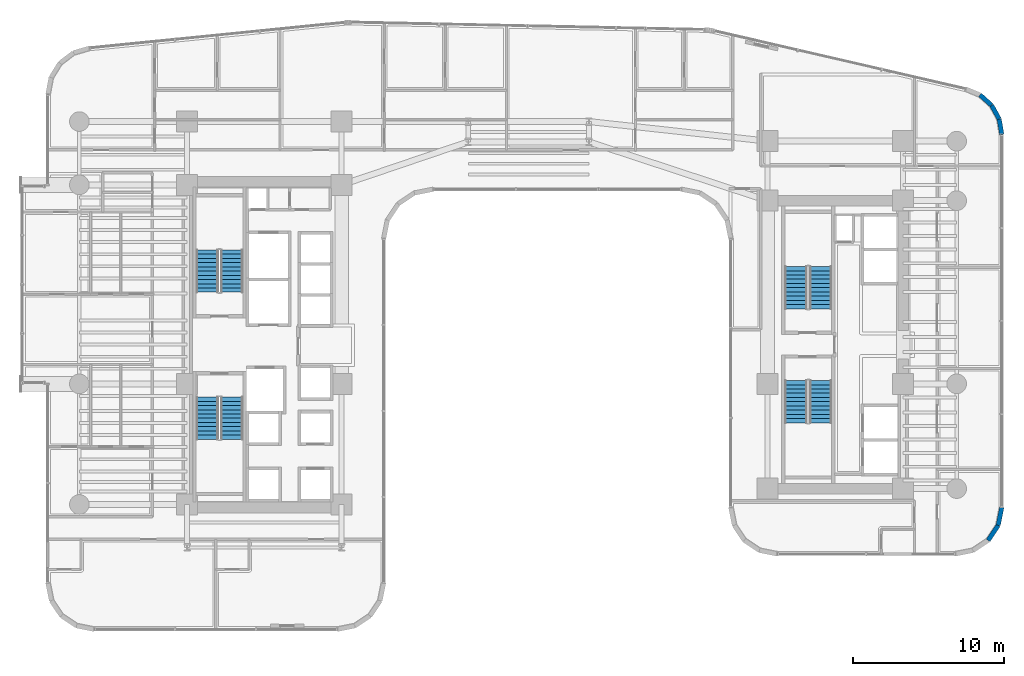
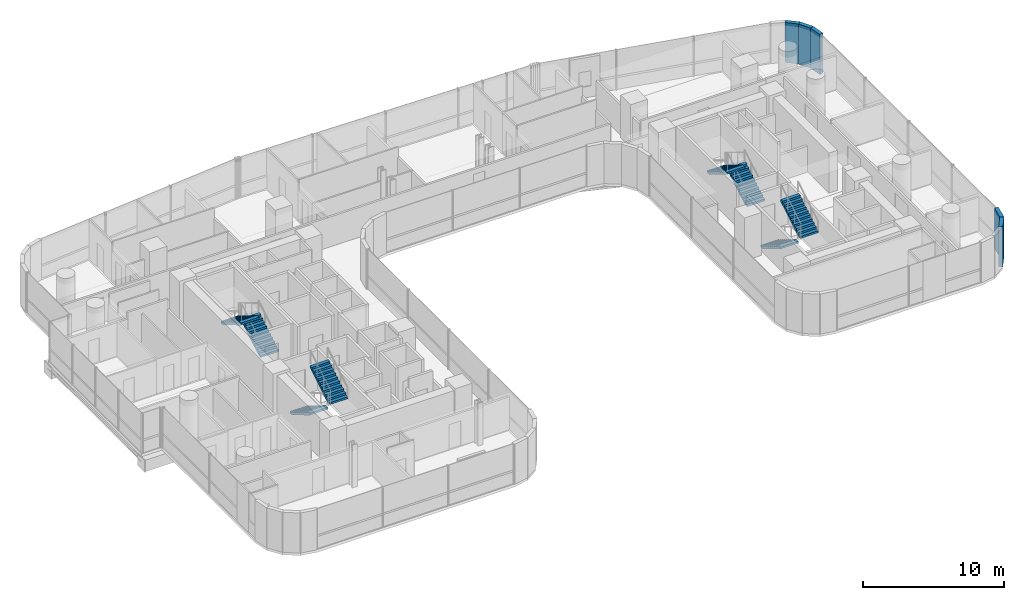
# One storey, part 34 of 40: 8 stair flights, 5 walls, 4 elements without a shape of their own.
"""IFC4 building model written with IfcOpenShell, lengths in metres."""

from ifc_helpers import new_model, si_unit, direction, frame, frame_2d, origin, place, context, subcontext, project, spatial, polyline, rectangle, outline, extrude, material, layer, layer_set, type_object, element, aggregate, save


model = new_model("IFC4")

# Units and contexts
model_context = context("Model", 3, precision=1e-05, world=origin(), true_north=direction((0.0, 1.0)))
body_context = subcontext(model_context, "Body", "Model", "MODEL_VIEW")
ifc_project = project(units=[si_unit("LENGTHUNIT", "METRE"), si_unit("AREAUNIT", "SQUARE_METRE"), si_unit("VOLUMEUNIT", "CUBIC_METRE"), si_unit("PLANEANGLEUNIT", "RADIAN"), si_unit("MASSUNIT", "GRAM", prefix="KILO")], contexts=[model_context])

# Site, building, storey
site_placement = place(None, origin())
site = spatial("IfcSite", under=ifc_project, at=site_placement, CompositionType="ELEMENT")
building_placement = place(site_placement, origin())
building = spatial("IfcBuilding", under=site, at=building_placement, Name="Valdorenza Pilgrim Sanctuary Tower", CompositionType="ELEMENT")
storey_placement = place(building_placement, frame((0.0, 0.0, 44.5)))
storey = spatial("IfcBuildingStorey", under=building, at=storey_placement, Name="L10", CompositionType="ELEMENT", Elevation=44.5)

# Walls
ifc_material_1 = material(Name="Honed travertine limestone", Category="masonry")
ifc_layer = layer(ifc_material_1, 0.300048828125, Name="Honed travertine limestone")
ifc_layer_set = layer_set([ifc_layer], Name="Honed travertine limestone")
wall_type = type_object("IfcWallType", Name="WAL-EXT-300", PredefinedType="SOLIDWALL", material=ifc_layer_set)
wall_1_placement = place(storey_placement, frame((29.947998046875, 16.56640625, 0.0), z_axis=(0.0, 0.0, 1.0), x_axis=(0.744585645533, -0.66752694063, 0.0)))
element("IfcWall", 1, at=wall_1_placement, inside=storey, type_object=wall_type, Name="L10 Rounded Wind-Corner Stone Pier 18", PredefinedType="SOLIDWALL", context=body_context, shape_type="SweptSolid", body=[
    extrude(rectangle(XDim=1.032958984375, YDim=0.300048828125, at=frame_2d((0.5166015625, 0.0))), origin(), (0.0, 0.0, 1.0), 3.4599609375),
])
wall_2_placement = place(storey_placement, frame((30.717041015625, 15.876953125, 0.0), z_axis=(0.0, 0.0, 1.0), x_axis=(0.482971098131, -0.875636293429, 0.0)))
element("IfcWall", 2, at=wall_2_placement, inside=storey, type_object=wall_type, Name="L10 Rounded Wind-Corner Stone Pier 19", PredefinedType="SOLIDWALL", context=body_context, shape_type="SweptSolid", body=[
    extrude(rectangle(XDim=1.03271484375, YDim=0.300048828125, at=frame_2d((0.516357421875, 0.0))), origin(), (0.0, 0.0, 1.0), 3.4599609375),
])
wall_3_placement = place(storey_placement, frame((31.2158203125, 14.97265625, 0.0), z_axis=(0.0, 0.0, 1.0), x_axis=(0.167019462117, -0.985953598946, 0.0)))
element("IfcWall", 3, at=wall_3_placement, inside=storey, type_object=wall_type, Name="L10 Rounded Wind-Corner Stone Pier 20", PredefinedType="SOLIDWALL", context=body_context, shape_type="SweptSolid", body=[
    extrude(rectangle(XDim=1.042236328125, YDim=0.300048828125, at=frame_2d((0.52099609375, 0.0))), origin(), (0.0, 0.0, 1.0), 3.4599609375),
])
wall_4_placement = place(storey_placement, frame((31.389892578125, -10.789306640625, 0.0), z_axis=(0.0, 0.0, 1.0), x_axis=(-0.194996050505, -0.980804027463, 0.0)))
element("IfcWall", 4, at=wall_4_placement, inside=storey, type_object=wall_type, Name="L10 Rounded Wind-Corner Stone Pier 22", PredefinedType="SOLIDWALL", context=body_context, shape_type="SweptSolid", body=[
    extrude(rectangle(XDim=1.2158203125, YDim=0.300048828125, at=frame_2d((0.60791015625, 0.0))), origin(), (0.0, 0.0, 1.0), 3.4599609375),
])
wall_5_placement = place(storey_placement, frame((31.15283203125, -11.981689453125, 0.0), z_axis=(0.0, 0.0, 1.0), x_axis=(-0.555635100982, -0.831426265255, 0.0)))
element("IfcWall", 5, at=wall_5_placement, inside=storey, type_object=wall_type, Name="L10 Rounded Wind-Corner Stone Pier 23", PredefinedType="SOLIDWALL", context=body_context, shape_type="SweptSolid", body=[
    extrude(rectangle(XDim=1.204833984375, YDim=0.300048828125, at=frame_2d((0.6025390625, 0.0))), origin(), (0.0, 0.0, 1.0), 3.4599609375),
])

# Stair, stair flights
ifc_material_2 = material(Name="Concrete C40/50", Category="concrete")
stair_type = type_object("IfcStairType", Name="STR-DOG-CORE", PredefinedType="HALF_TURN_STAIR", material=ifc_material_2)
stair_1_placement = place(storey_placement, origin())
stair_1 = element("IfcStair", 6, at=stair_1_placement, inside=storey, type_object=stair_type, Name="L10 ST-A1", PredefinedType="HALF_TURN_STAIR")
stair_flight_type = type_object("IfcStairFlightType", Name="STF-RC-1400", PredefinedType="STRAIGHT", material=ifc_material_2)
stair_flight_1_placement = place(storey_placement, frame((-19.679931640625, 3.47998046875, 0.0), z_axis=(0.0, 0.0, 1.0), x_axis=(0.0, 1.0, 0.0)))
stair_flight_1 = element("IfcStairFlight", 7, at=stair_flight_1_placement, type_object=stair_flight_type, Name="ST-A1 flight 1", NumberOfRisers=11, NumberOfTreads=10, PredefinedType="STRAIGHT", RiserHeight=0.168181818, TreadLength=0.28, context=body_context, shape_type="SweptSolid", body=[
    extrude(outline(polyline([(0.0, 0.0), (0.0, 0.168212890625), (0.280029296875, 0.168212890625), (0.280029296875, 0.33642578125), (0.56005859375, 0.33642578125), (0.56005859375, 0.504638671875), (0.840087890625, 0.504638671875), (0.840087890625, 0.672607421875), (1.1201171875, 0.672607421875), (1.1201171875, 0.8408203125), (1.39990234375, 0.8408203125), (1.39990234375, 1.009033203125), (1.679931640625, 1.009033203125), (1.679931640625, 1.17724609375), (1.9599609375, 1.17724609375), (1.9599609375, 1.345458984375), (2.239990234375, 1.345458984375), (2.239990234375, 1.513671875), (2.52001953125, 1.513671875), (2.52001953125, 1.681884765625), (2.800048828125, 1.681884765625), (2.800048828125, 1.85009765625), (2.800048828125, 1.5068359375), (0.291015625, 0.0), (0.0, 0.0)])), frame((0.0, 0.739990234375, 0.0), z_axis=(0.0, -1.0, 0.0), x_axis=(1.0, 0.0, 0.0)), (0.0, 0.0, 1.0), 1.47998046875),
])
stair_flight_2_placement = place(storey_placement, frame((-21.31005859375, 6.280029296875, 1.85009765625), z_axis=(0.0, 0.0, 1.0), x_axis=(0.0, -1.0, 0.0)))
stair_flight_2 = element("IfcStairFlight", 8, at=stair_flight_2_placement, type_object=stair_flight_type, Name="ST-A1 flight 2", NumberOfRisers=11, NumberOfTreads=10, PredefinedType="STRAIGHT", RiserHeight=0.168181818, TreadLength=0.28, context=body_context, shape_type="SweptSolid", body=[
    extrude(outline(polyline([(0.0, 0.0), (0.0, 0.168212890625), (0.280029296875, 0.168212890625), (0.280029296875, 0.33642578125), (0.56005859375, 0.33642578125), (0.56005859375, 0.504638671875), (0.840087890625, 0.504638671875), (0.840087890625, 0.672607421875), (1.1201171875, 0.672607421875), (1.1201171875, 0.8408203125), (1.39990234375, 0.8408203125), (1.39990234375, 1.009033203125), (1.679931640625, 1.009033203125), (1.679931640625, 1.17724609375), (1.9599609375, 1.17724609375), (1.9599609375, 1.345458984375), (2.239990234375, 1.345458984375), (2.239990234375, 1.513671875), (2.52001953125, 1.513671875), (2.52001953125, 1.681884765625), (2.800048828125, 1.681884765625), (2.800048828125, 1.85009765625), (2.800048828125, 1.5068359375), (0.291015625, 0.0), (0.0, 0.0)])), frame((0.0, 0.739990234375, 0.0), z_axis=(0.0, -1.0, 0.0), x_axis=(1.0, 0.0, 0.0)), (0.0, 0.0, 1.0), 1.47998046875),
])
aggregate(stair_1, [stair_flight_1, stair_flight_2])

stair_2_placement = place(storey_placement, origin())
stair_2 = element("IfcStair", 9, at=stair_2_placement, inside=storey, type_object=stair_type, Name="L10 ST-A2", PredefinedType="HALF_TURN_STAIR")
stair_flight_3_placement = place(storey_placement, frame((-21.31005859375, -3.47998046875, 0.0), z_axis=(0.0, 0.0, 1.0), x_axis=(0.0, -1.0, 0.0)))
stair_flight_3 = element("IfcStairFlight", 10, at=stair_flight_3_placement, type_object=stair_flight_type, Name="ST-A2 flight 1", NumberOfRisers=11, NumberOfTreads=10, PredefinedType="STRAIGHT", RiserHeight=0.168181818, TreadLength=0.28, context=body_context, shape_type="SweptSolid", body=[
    extrude(outline(polyline([(0.0, 0.0), (0.0, 0.168212890625), (0.280029296875, 0.168212890625), (0.280029296875, 0.33642578125), (0.56005859375, 0.33642578125), (0.56005859375, 0.504638671875), (0.840087890625, 0.504638671875), (0.840087890625, 0.672607421875), (1.1201171875, 0.672607421875), (1.1201171875, 0.8408203125), (1.39990234375, 0.8408203125), (1.39990234375, 1.009033203125), (1.679931640625, 1.009033203125), (1.679931640625, 1.17724609375), (1.9599609375, 1.17724609375), (1.9599609375, 1.345458984375), (2.239990234375, 1.345458984375), (2.239990234375, 1.513671875), (2.52001953125, 1.513671875), (2.52001953125, 1.681884765625), (2.800048828125, 1.681884765625), (2.800048828125, 1.85009765625), (2.800048828125, 1.5068359375), (0.291015625, 0.0), (0.0, 0.0)])), frame((0.0, 0.739990234375, 0.0), z_axis=(0.0, -1.0, 0.0), x_axis=(1.0, 0.0, 0.0)), (0.0, 0.0, 1.0), 1.47998046875),
])
stair_flight_4_placement = place(storey_placement, frame((-19.679931640625, -6.280029296875, 1.85009765625), z_axis=(0.0, 0.0, 1.0), x_axis=(0.0, 1.0, 0.0)))
stair_flight_4 = element("IfcStairFlight", 11, at=stair_flight_4_placement, type_object=stair_flight_type, Name="ST-A2 flight 2", NumberOfRisers=11, NumberOfTreads=10, PredefinedType="STRAIGHT", RiserHeight=0.168181818, TreadLength=0.28, context=body_context, shape_type="SweptSolid", body=[
    extrude(outline(polyline([(0.0, 0.0), (0.0, 0.168212890625), (0.280029296875, 0.168212890625), (0.280029296875, 0.33642578125), (0.56005859375, 0.33642578125), (0.56005859375, 0.504638671875), (0.840087890625, 0.504638671875), (0.840087890625, 0.672607421875), (1.1201171875, 0.672607421875), (1.1201171875, 0.8408203125), (1.39990234375, 0.8408203125), (1.39990234375, 1.009033203125), (1.679931640625, 1.009033203125), (1.679931640625, 1.17724609375), (1.9599609375, 1.17724609375), (1.9599609375, 1.345458984375), (2.239990234375, 1.345458984375), (2.239990234375, 1.513671875), (2.52001953125, 1.513671875), (2.52001953125, 1.681884765625), (2.800048828125, 1.681884765625), (2.800048828125, 1.85009765625), (2.800048828125, 1.5068359375), (0.291015625, 0.0), (0.0, 0.0)])), frame((0.0, 0.739990234375, 0.0), z_axis=(0.0, -1.0, 0.0), x_axis=(1.0, 0.0, 0.0)), (0.0, 0.0, 1.0), 1.47998046875),
])
aggregate(stair_2, [stair_flight_3, stair_flight_4])

stair_3_placement = place(storey_placement, origin())
stair_3 = element("IfcStair", 12, at=stair_3_placement, inside=storey, type_object=stair_type, Name="L10 ST-B1", PredefinedType="HALF_TURN_STAIR")
stair_flight_5_placement = place(storey_placement, frame((19.3701171875, 2.3798828125, 0.0), z_axis=(0.0, 0.0, 1.0), x_axis=(0.0, 1.0, 0.0)))
stair_flight_5 = element("IfcStairFlight", 13, at=stair_flight_5_placement, type_object=stair_flight_type, Name="ST-B1 flight 1", NumberOfRisers=11, NumberOfTreads=10, PredefinedType="STRAIGHT", RiserHeight=0.168181818, TreadLength=0.28, context=body_context, shape_type="SweptSolid", body=[
    extrude(outline(polyline([(0.0, 0.0), (0.0, 0.168212890625), (0.280029296875, 0.168212890625), (0.280029296875, 0.33642578125), (0.56005859375, 0.33642578125), (0.56005859375, 0.504638671875), (0.840087890625, 0.504638671875), (0.840087890625, 0.672607421875), (1.1201171875, 0.672607421875), (1.1201171875, 0.8408203125), (1.39990234375, 0.8408203125), (1.39990234375, 1.009033203125), (1.679931640625, 1.009033203125), (1.679931640625, 1.17724609375), (1.9599609375, 1.17724609375), (1.9599609375, 1.345458984375), (2.239990234375, 1.345458984375), (2.239990234375, 1.513671875), (2.52001953125, 1.513671875), (2.52001953125, 1.681884765625), (2.800048828125, 1.681884765625), (2.800048828125, 1.85009765625), (2.800048828125, 1.5068359375), (0.291015625, 0.0), (0.0, 0.0)])), frame((0.0, 0.739990234375, 0.0), z_axis=(0.0, -1.0, 0.0), x_axis=(1.0, 0.0, 0.0)), (0.0, 0.0, 1.0), 1.47998046875),
])
stair_flight_6_placement = place(storey_placement, frame((17.739990234375, 5.179931640625, 1.85009765625), z_axis=(0.0, 0.0, 1.0), x_axis=(0.0, -1.0, 0.0)))
stair_flight_6 = element("IfcStairFlight", 14, at=stair_flight_6_placement, type_object=stair_flight_type, Name="ST-B1 flight 2", NumberOfRisers=11, NumberOfTreads=10, PredefinedType="STRAIGHT", RiserHeight=0.168181818, TreadLength=0.28, context=body_context, shape_type="SweptSolid", body=[
    extrude(outline(polyline([(0.0, 0.0), (0.0, 0.168212890625), (0.280029296875, 0.168212890625), (0.280029296875, 0.33642578125), (0.56005859375, 0.33642578125), (0.56005859375, 0.504638671875), (0.840087890625, 0.504638671875), (0.840087890625, 0.672607421875), (1.1201171875, 0.672607421875), (1.1201171875, 0.8408203125), (1.39990234375, 0.8408203125), (1.39990234375, 1.009033203125), (1.679931640625, 1.009033203125), (1.679931640625, 1.17724609375), (1.9599609375, 1.17724609375), (1.9599609375, 1.345458984375), (2.239990234375, 1.345458984375), (2.239990234375, 1.513671875), (2.52001953125, 1.513671875), (2.52001953125, 1.681884765625), (2.800048828125, 1.681884765625), (2.800048828125, 1.85009765625), (2.800048828125, 1.5068359375), (0.291015625, 0.0), (0.0, 0.0)])), frame((0.0, 0.739990234375, 0.0), z_axis=(0.0, -1.0, 0.0), x_axis=(1.0, 0.0, 0.0)), (0.0, 0.0, 1.0), 1.47998046875),
])
aggregate(stair_3, [stair_flight_5, stair_flight_6])

stair_4_placement = place(storey_placement, origin())
stair_4 = element("IfcStair", 15, at=stair_4_placement, inside=storey, type_object=stair_type, Name="L10 ST-B2", PredefinedType="HALF_TURN_STAIR")
stair_flight_7_placement = place(storey_placement, frame((17.739990234375, -2.3798828125, 0.0), z_axis=(0.0, 0.0, 1.0), x_axis=(0.0, -1.0, 0.0)))
stair_flight_7 = element("IfcStairFlight", 16, at=stair_flight_7_placement, type_object=stair_flight_type, Name="ST-B2 flight 1", NumberOfRisers=11, NumberOfTreads=10, PredefinedType="STRAIGHT", RiserHeight=0.168181818, TreadLength=0.28, context=body_context, shape_type="SweptSolid", body=[
    extrude(outline(polyline([(0.0, 0.0), (0.0, 0.168212890625), (0.280029296875, 0.168212890625), (0.280029296875, 0.33642578125), (0.56005859375, 0.33642578125), (0.56005859375, 0.504638671875), (0.840087890625, 0.504638671875), (0.840087890625, 0.672607421875), (1.1201171875, 0.672607421875), (1.1201171875, 0.8408203125), (1.39990234375, 0.8408203125), (1.39990234375, 1.009033203125), (1.679931640625, 1.009033203125), (1.679931640625, 1.17724609375), (1.9599609375, 1.17724609375), (1.9599609375, 1.345458984375), (2.239990234375, 1.345458984375), (2.239990234375, 1.513671875), (2.52001953125, 1.513671875), (2.52001953125, 1.681884765625), (2.800048828125, 1.681884765625), (2.800048828125, 1.85009765625), (2.800048828125, 1.5068359375), (0.291015625, 0.0), (0.0, 0.0)])), frame((0.0, 0.739990234375, 0.0), z_axis=(0.0, -1.0, 0.0), x_axis=(1.0, 0.0, 0.0)), (0.0, 0.0, 1.0), 1.47998046875),
])
stair_flight_8_placement = place(storey_placement, frame((19.3701171875, -5.179931640625, 1.85009765625), z_axis=(0.0, 0.0, 1.0), x_axis=(0.0, 1.0, 0.0)))
stair_flight_8 = element("IfcStairFlight", 17, at=stair_flight_8_placement, type_object=stair_flight_type, Name="ST-B2 flight 2", NumberOfRisers=11, NumberOfTreads=10, PredefinedType="STRAIGHT", RiserHeight=0.168181818, TreadLength=0.28, context=body_context, shape_type="SweptSolid", body=[
    extrude(outline(polyline([(0.0, 0.0), (0.0, 0.168212890625), (0.280029296875, 0.168212890625), (0.280029296875, 0.33642578125), (0.56005859375, 0.33642578125), (0.56005859375, 0.504638671875), (0.840087890625, 0.504638671875), (0.840087890625, 0.672607421875), (1.1201171875, 0.672607421875), (1.1201171875, 0.8408203125), (1.39990234375, 0.8408203125), (1.39990234375, 1.009033203125), (1.679931640625, 1.009033203125), (1.679931640625, 1.17724609375), (1.9599609375, 1.17724609375), (1.9599609375, 1.345458984375), (2.239990234375, 1.345458984375), (2.239990234375, 1.513671875), (2.52001953125, 1.513671875), (2.52001953125, 1.681884765625), (2.800048828125, 1.681884765625), (2.800048828125, 1.85009765625), (2.800048828125, 1.5068359375), (0.291015625, 0.0), (0.0, 0.0)])), frame((0.0, 0.739990234375, 0.0), z_axis=(0.0, -1.0, 0.0), x_axis=(1.0, 0.0, 0.0)), (0.0, 0.0, 1.0), 1.47998046875),
])
aggregate(stair_4, [stair_flight_7, stair_flight_8])

save(model, "model.ifc")
